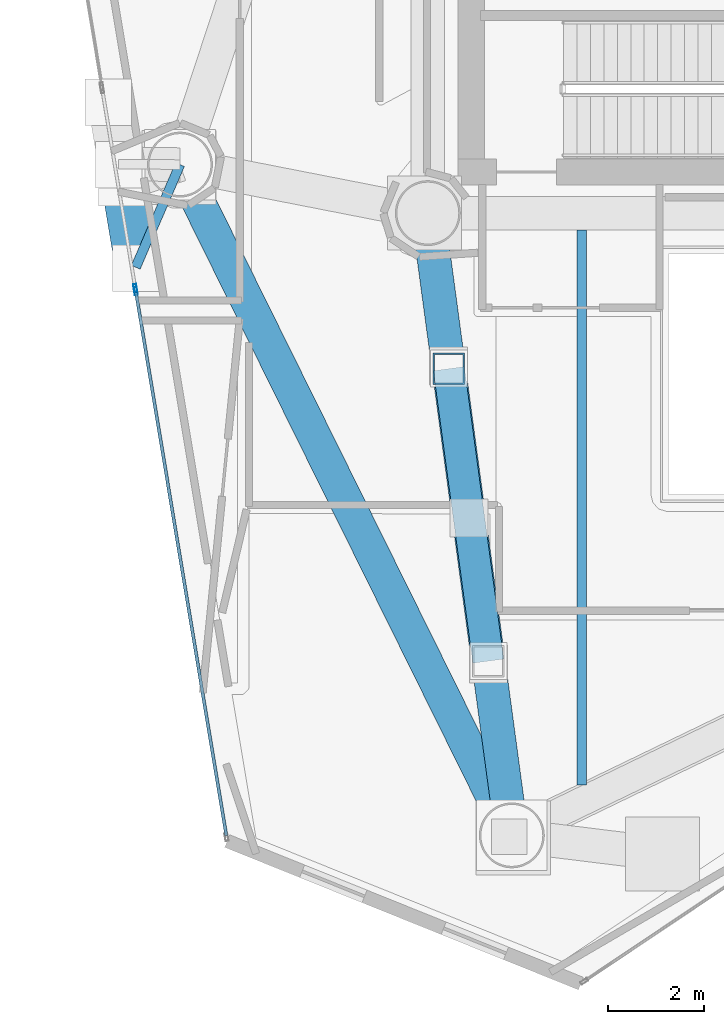
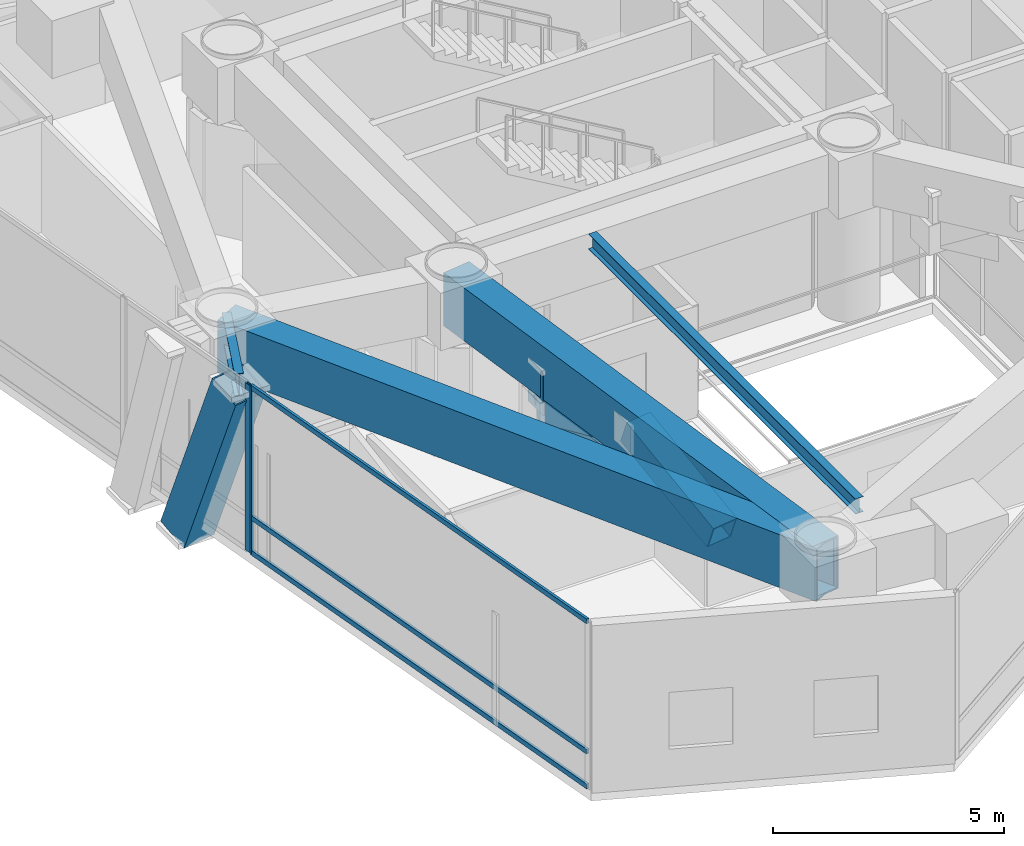
# One storey, part 3 of 22: 10 members, 4 beams, 2 elements without a shape of their own.
"""IFC4 building model written with IfcOpenShell, lengths in metres."""

from ifc_helpers import new_model, si_unit, direction, frame, origin, origin_2d, place, context, subcontext, project, spatial, hollow_rectangle, i_section, extrude, material, layer, layer_set, material_profile, profile_set, type_object, element, aggregate, save


model = new_model("IFC4")

# Units and contexts
model_context = context("Model", 3, precision=1e-05, world=origin(), true_north=direction((0.0, 1.0)))
body_context = subcontext(model_context, "Body", "Model", "MODEL_VIEW")
ifc_project = project(units=[si_unit("LENGTHUNIT", "METRE"), si_unit("AREAUNIT", "SQUARE_METRE"), si_unit("VOLUMEUNIT", "CUBIC_METRE"), si_unit("PLANEANGLEUNIT", "RADIAN"), si_unit("MASSUNIT", "GRAM", prefix="KILO")], contexts=[model_context])

# Site, building, storey
site_placement = place(None, origin())
site = spatial("IfcSite", under=ifc_project, at=site_placement, CompositionType="ELEMENT")
building_placement = place(site_placement, origin())
building = spatial("IfcBuilding", under=site, at=building_placement, Name="Qianvela Tower", CompositionType="ELEMENT")
storey_placement = place(building_placement, frame((0.0, 0.0, 184.60009765625)))
storey = spatial("IfcBuildingStorey", under=building, at=storey_placement, Name="L47", CompositionType="ELEMENT", Elevation=184.60009765625)

# Beams
ifc_material_1 = material(Name="Steel Q355B", Category="steel")
ifc_material_profile_1 = material_profile(ifc_material_1, i_section(OverallWidth=0.199951171875, OverallDepth=0.39990234375, WebThickness=0.008056640625, FlangeThickness=0.012939453125, at=origin_2d()), Name="HN400x200x8x13")
ifc_profile_set_1 = profile_set([ifc_material_profile_1], Name="Steel Q355B")
beam_type_1 = type_object("IfcBeamType", Name="BM-HN400-JOIST", PredefinedType="JOIST", material=ifc_profile_set_1)
beam_1_placement = place(storey_placement, frame((31.800048828125, 11.95751953125, 4.218017578125), z_axis=(0.0, 1.0, 0.0), x_axis=(-1.0, 0.0, 0.0)))
element("IfcBeam", 1, at=beam_1_placement, inside=storey, type_object=beam_type_1, Name="L47 Bay Secondary Floor Joist 1", PredefinedType="JOIST", context=body_context, shape_type="SweptSolid", body=[
    extrude(i_section(OverallWidth=0.199951171875, OverallDepth=0.39990234375, WebThickness=0.008056640625, FlangeThickness=0.012939453125, at=origin_2d()), origin(), (0.0, 0.0, 1.0), 11.54638671875),
])
ifc_material_2 = material(Name="Steel Q355B", Category="steel")
ifc_material_profile_2 = material_profile(ifc_material_2, i_section(OverallWidth=0.199951171875, OverallDepth=0.60009765625, WebThickness=0.010986328125, FlangeThickness=0.01708984375, at=origin_2d()), Name="HN600x200x11x17")
ifc_profile_set_2 = profile_set([ifc_material_profile_2], Name="Steel Q355B")
beam_type_2 = type_object("IfcBeamType", Name="BM-HN600-GIRD", PredefinedType="BEAM", material=ifc_profile_set_2)
beam_2_placement = place(storey_placement, frame((23.446044921875, 24.85888671875, 4.117919921875), z_axis=(-0.396098055364, -0.918208217419, 0.0), x_axis=(0.918208217419, -0.396098055364, 0.0)))
element("IfcBeam", 2, at=beam_2_placement, inside=storey, type_object=beam_type_2, Name="L47 Mega-Brace Column Tie Bracket F2-2", PredefinedType="BEAM", context=body_context, shape_type="SweptSolid", body=[
    extrude(i_section(OverallWidth=0.199951171875, OverallDepth=0.60009765625, WebThickness=0.010986328125, FlangeThickness=0.01708984375, at=origin_2d()), origin(), (0.0, 0.0, 1.0), 2.324951171875),
])
ifc_material_3 = material(Name="Steel Q420GJC", Category="steel")
ifc_material_profile_3 = material_profile(ifc_material_3, hollow_rectangle(XDim=0.699951171875, YDim=1.39990234375, WallThickness=0.0400390625, at=origin_2d()), Name="TG-BOX-1400x700x40")
ifc_profile_set_3 = profile_set([ifc_material_profile_3], Name="Steel Q420GJC")
beam_type_3 = type_object("IfcBeamType", Name="BM-TG-RAD-1400", PredefinedType="BEAM", material=ifc_profile_set_3)
beam_3_placement = place(storey_placement, frame((23.446044921875, 24.85888671875, 3.718017578125), z_axis=(0.443400805375, -0.896323449315, 0.0), x_axis=(0.896323449315, 0.443400805375, 0.0)))
element("IfcBeam", 3, at=beam_3_placement, inside=storey, type_object=beam_type_3, Name="L47 Perimeter Belt-Truss Top Ring Girder 4", PredefinedType="BEAM", context=body_context, shape_type="SweptSolid", body=[
    extrude(hollow_rectangle(XDim=0.699951171875, YDim=1.39990234375, WallThickness=0.0400390625, at=origin_2d()), origin(), (0.0, 0.0, 1.0), 15.5634765625),
])
beam_4_placement = place(storey_placement, frame((28.60009765625, 23.85009765625, 3.718017578125), z_axis=(0.133769024854, -0.991012536747, 0.0), x_axis=(0.991012536747, 0.133769024854, 0.0)))
element("IfcBeam", 4, at=beam_4_placement, inside=storey, type_object=beam_type_3, Name="L47 Radial Outrigger Top Transfer Girder 5", PredefinedType="BEAM", context=body_context, shape_type="SweptSolid", body=[
    extrude(hollow_rectangle(XDim=0.699951171875, YDim=1.39990234375, WallThickness=0.0400390625, at=origin_2d()), origin(), (0.0, 0.0, 1.0), 13.05859375),
])

# Curtain wall, member
ifc_material_4 = material(Name="Anodised Architectural Aluminium and Insulated Spandrel Panel", Category="aluminium")
ifc_layer_1 = layer(ifc_material_4, 0.179931640625)
ifc_layer_set_1 = layer_set([ifc_layer_1], Name="Anodised Architectural Aluminium and Insulated Spandrel Panel")
curtain_wall_type_1 = type_object("IfcCurtainWallType", Name="CW-BRACEBAY", PredefinedType="USERDEFINED", material=ifc_layer_set_1)
curtain_wall_1_placement = place(storey_placement, origin())
curtain_wall_1 = element("IfcCurtainWall", 5, at=curtain_wall_1_placement, inside=storey, type_object=curtain_wall_type_1, Name="L47 CW-BRACEBAY Curtain Wall 04B", ObjectType="CURTAIN_WALL_SYSTEM", PredefinedType="USERDEFINED")
ifc_material_5 = material(Name="Anodised Architectural Aluminium 6063-T6", Category="aluminium")
ifc_material_profile_4 = material_profile(ifc_material_5, hollow_rectangle(XDim=0.06494140625, YDim=0.159912109375, WallThickness=0.0048828125, at=origin_2d()), Name="ALU-MULL-65x160")
ifc_profile_set_4 = profile_set([ifc_material_profile_4], Name="Anodised Architectural Aluminium 6063-T6")
member_type_1 = type_object("IfcMemberType", Name="CW-BRACEBAY-MULL", PredefinedType="MULLION", material=ifc_profile_set_4)
member_1_placement = place(storey_placement, frame((22.515625, 22.2939453125, 0.0), z_axis=(0.0, 0.0, 1.0), x_axis=(0.986456807701, 0.164021238078, 0.0)))
member_1 = element("IfcMember", 6, at=member_1_placement, type_object=member_type_1, Name="CW-9 mullion 2", PredefinedType="MULLION", context=body_context, shape_type="SweptSolid", body=[
    extrude(hollow_rectangle(XDim=0.06494140625, YDim=0.159912109375, WallThickness=0.0048828125, at=origin_2d()), origin(), (0.0, 0.0, 1.0), 4.419921875),
])
aggregate(curtain_wall_1, [member_1])

# Curtain wall, members
ifc_material_6 = material(Name="Anodised Architectural Aluminium and Low-E Glass", Category="aluminium")
ifc_layer_2 = layer(ifc_material_6, 0.169921875)
ifc_layer_set_2 = layer_set([ifc_layer_2], Name="Anodised Architectural Aluminium and Low-E Glass")
curtain_wall_type_2 = type_object("IfcCurtainWallType", Name="CW-COLIV-Z34", PredefinedType="USERDEFINED", material=ifc_layer_set_2)
curtain_wall_2_placement = place(storey_placement, origin())
curtain_wall_2 = element("IfcCurtainWall", 7, at=curtain_wall_2_placement, inside=storey, type_object=curtain_wall_type_2, Name="L47 CW-COLIV-Z34 Curtain Wall 04C", ObjectType="CURTAIN_WALL_SYSTEM", PredefinedType="USERDEFINED")
ifc_material_7 = material(Name="Anodised Architectural Aluminium 6063-T6", Category="aluminium")
ifc_material_profile_5 = material_profile(ifc_material_7, hollow_rectangle(XDim=0.06494140625, YDim=0.159912109375, WallThickness=0.0048828125, at=origin_2d()), Name="ALU-MULL-65x160")
ifc_profile_set_5 = profile_set([ifc_material_profile_5], Name="Anodised Architectural Aluminium 6063-T6")
member_type_2 = type_object("IfcMemberType", Name="CW-COLIV-Z34-MULL", PredefinedType="MULLION", material=ifc_profile_set_5)
member_2_placement = place(storey_placement, frame((22.5263671875, 22.229736328125, 0.0), z_axis=(0.0, 0.0, 1.0), x_axis=(0.986458738436, 0.164009625823, 0.0)))
member_2 = element("IfcMember", 8, at=member_2_placement, type_object=member_type_2, Name="CW-4 mullion 1", PredefinedType="MULLION", context=body_context, shape_type="SweptSolid", body=[
    extrude(hollow_rectangle(XDim=0.06494140625, YDim=0.159912109375, WallThickness=0.0048828125, at=origin_2d()), origin(), (0.0, 0.0, 1.0), 4.419921875),
])
ifc_material_8 = material(Name="Anodised Architectural Aluminium 6063-T6", Category="aluminium")
ifc_material_profile_6 = material_profile(ifc_material_8, hollow_rectangle(XDim=0.06494140625, YDim=0.1298828125, WallThickness=0.00439453125, at=origin_2d()), Name="ALU-TRAN-65x130")
ifc_profile_set_6 = profile_set([ifc_material_profile_6], Name="Anodised Architectural Aluminium 6063-T6")
member_type_3 = type_object("IfcMemberType", Name="CW-COLIV-Z34-TRAN", PredefinedType="USERDEFINED", material=ifc_profile_set_6)
member_3_placement = place(storey_placement, frame((22.53173828125, 22.19775390625, 0.032470703125), z_axis=(0.164011663952, -0.986458399573, 0.0), x_axis=(0.986458399573, 0.164011663952, 0.0)))
member_3 = element("IfcMember", 9, at=member_3_placement, type_object=member_type_3, Name="CW-4 transom 1.1", ObjectType="TRANSOM", PredefinedType="USERDEFINED", context=body_context, shape_type="SweptSolid", body=[
    extrude(hollow_rectangle(XDim=0.06494140625, YDim=0.1298828125, WallThickness=0.00439453125, at=origin_2d()), origin(), (0.0, 0.0, 1.0), 11.448486328125),
])
member_4_placement = place(storey_placement, frame((22.53173828125, 22.19775390625, 0.949951171875), z_axis=(0.164011663952, -0.986458399573, 0.0), x_axis=(0.986458399573, 0.164011663952, 0.0)))
member_4 = element("IfcMember", 10, at=member_4_placement, type_object=member_type_3, Name="CW-4 transom 1.2", ObjectType="TRANSOM", PredefinedType="USERDEFINED", context=body_context, shape_type="SweptSolid", body=[
    extrude(hollow_rectangle(XDim=0.06494140625, YDim=0.1298828125, WallThickness=0.00439453125, at=origin_2d()), origin(), (0.0, 0.0, 1.0), 11.448486328125),
])
member_5_placement = place(storey_placement, frame((22.53173828125, 22.19775390625, 4.387451171875), z_axis=(0.164011663952, -0.986458399573, 0.0), x_axis=(0.986458399573, 0.164011663952, 0.0)))
member_5 = element("IfcMember", 11, at=member_5_placement, type_object=member_type_3, Name="CW-4 transom 1.3", ObjectType="TRANSOM", PredefinedType="USERDEFINED", context=body_context, shape_type="SweptSolid", body=[
    extrude(hollow_rectangle(XDim=0.06494140625, YDim=0.1298828125, WallThickness=0.00439453125, at=origin_2d()), origin(), (0.0, 0.0, 1.0), 11.448486328125),
])
aggregate(curtain_wall_2, [member_2, member_3, member_4, member_5])

# Members
ifc_material_9 = material(Name="Steel Q420GJC", Category="steel")
ifc_material_profile_7 = material_profile(ifc_material_9, hollow_rectangle(XDim=0.85009765625, YDim=0.85009765625, WallThickness=0.031982421875, at=origin_2d()), Name="MBOX-850x850x32")
ifc_profile_set_7 = profile_set([ifc_material_profile_7], Name="Steel Q420GJC")
member_type_4 = type_object("IfcMemberType", Name="MBR-MBRACE-850", PredefinedType="BRACE", material=ifc_profile_set_7)
member_6_placement = place(storey_placement, frame((22.237060546875, 24.45703125, -0.60205078125), z_axis=(0.057202153303, -0.344085495039, 0.937194262552), x_axis=(0.986461451033, 0.163993309696, 0.0)))
element("IfcMember", 12, at=member_6_placement, inside=storey, type_object=member_type_4, Name="L47 Tier 8 Exterior Mega-Brace F2B", PredefinedType="BRACE", context=body_context, shape_type="SweptSolid", body=[
    extrude(hollow_rectangle(XDim=0.85009765625, YDim=0.85009765625, WallThickness=0.031982421875, at=origin_2d()), origin(), (0.0, 0.0, 1.0), 5.036376953125),
])
ifc_material_10 = material(Name="Steel Q420GJC", Category="steel")
ifc_material_profile_8 = material_profile(ifc_material_10, hollow_rectangle(XDim=0.64990234375, YDim=0.64990234375, WallThickness=0.028076171875, at=origin_2d()), Name="OBOX-650x650x28")
ifc_profile_set_8 = profile_set([ifc_material_profile_8], Name="Steel Q420GJC")
member_type_5 = type_object("IfcMemberType", Name="MBR-OUTRIG-650", PredefinedType="BRACE", material=ifc_profile_set_8)
member_7_placement = place(storey_placement, frame((29.036865234375, 20.61474609375, 2.61279296875), z_axis=(0.0, 0.0, 1.0), x_axis=(1.0, 0.0, 0.0)))
element("IfcMember", 13, at=member_7_placement, inside=storey, type_object=member_type_5, Name="L47 Radial Outrigger Web Post 5A", PredefinedType="BRACE", context=body_context, shape_type="SweptSolid", body=[
    extrude(hollow_rectangle(XDim=0.64990234375, YDim=0.64990234375, WallThickness=0.028076171875, at=origin_2d()), origin(), (0.0, 0.0, 1.0), 1.105224609375),
])
member_8_placement = place(storey_placement, frame((29.036865234375, 20.61474609375, 2.61279296875), z_axis=(0.133776414187, -0.991011539291, 0.0), x_axis=(0.991011539291, 0.133776414187, 0.0)))
element("IfcMember", 14, at=member_8_placement, inside=storey, type_object=member_type_5, Name="L47 Radial Outrigger Bottom Chord 5", PredefinedType="BRACE", context=body_context, shape_type="SweptSolid", body=[
    extrude(hollow_rectangle(XDim=0.64990234375, YDim=0.64990234375, WallThickness=0.028076171875, at=origin_2d()), origin(), (0.0, 0.0, 1.0), 6.137451171875),
])
member_9_placement = place(storey_placement, frame((29.036865234375, 20.61474609375, 2.61279296875), z_axis=(0.125820978086, -0.932392578239, 0.338840908862), x_axis=(0.991017523629, 0.133732074915, 0.0)))
element("IfcMember", 15, at=member_9_placement, inside=storey, type_object=member_type_5, Name="L47 Radial Outrigger Diagonal 5A", PredefinedType="BRACE", context=body_context, shape_type="SweptSolid", body=[
    extrude(hollow_rectangle(XDim=0.64990234375, YDim=0.64990234375, WallThickness=0.028076171875, at=origin_2d()), origin(), (0.0, 0.0, 1.0), 3.26171875),
])
member_10_placement = place(storey_placement, frame((29.447265625, 17.573486328125, 3.718017578125), z_axis=(0.125903427411, -0.932374014167, -0.338861364975), x_axis=(0.991005552561, 0.133820756214, 0.0)))
element("IfcMember", 16, at=member_10_placement, inside=storey, type_object=member_type_5, Name="L47 Radial Outrigger Diagonal 5B", PredefinedType="BRACE", context=body_context, shape_type="SweptSolid", body=[
    extrude(hollow_rectangle(XDim=0.64990234375, YDim=0.64990234375, WallThickness=0.028076171875, at=origin_2d()), origin(), (0.0, 0.0, 1.0), 3.261474609375),
])

save(model, "model.ifc")
